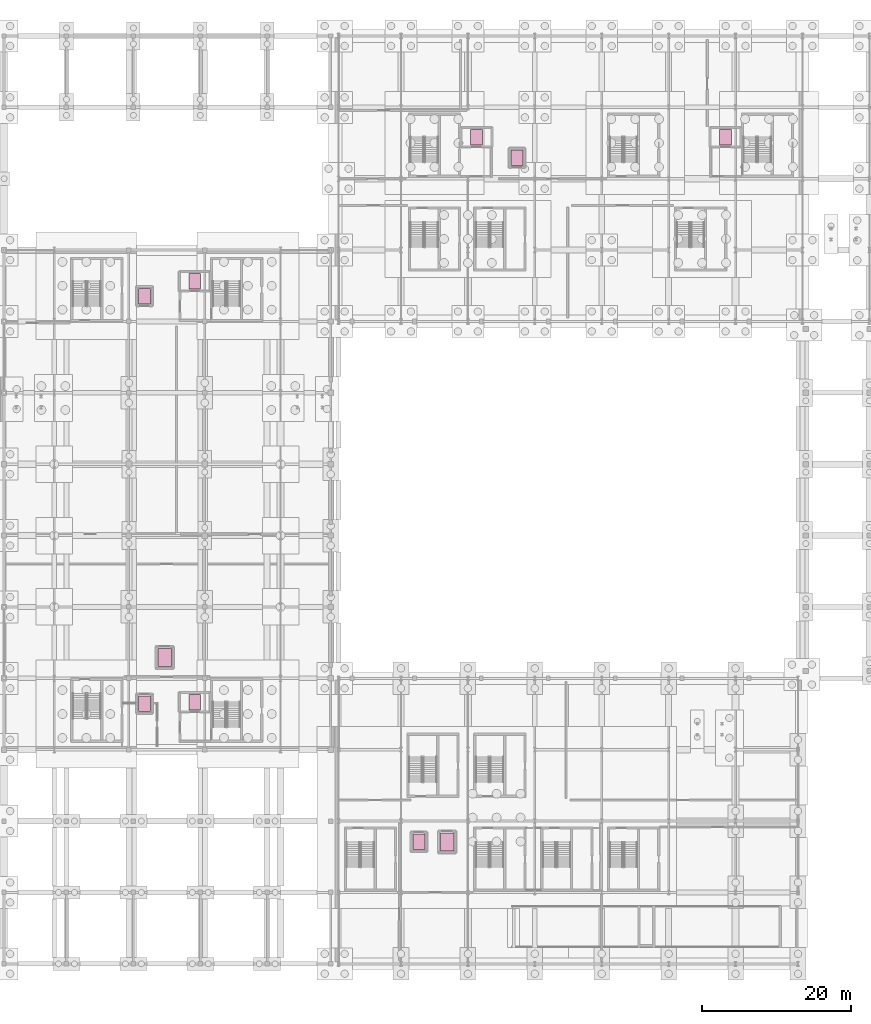
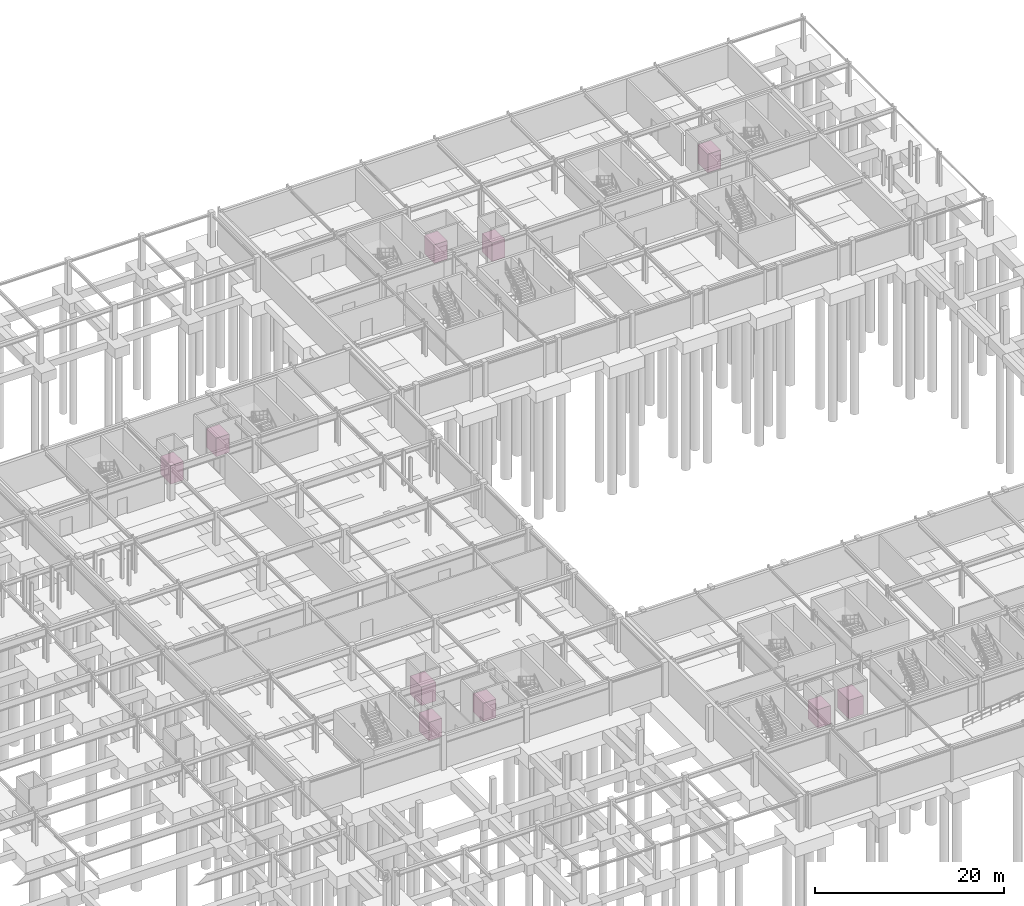
# One storey, part 59 of 59: 10 transport elements.
"""IFC4 building model written with IfcOpenShell, lengths in metres."""

import ifcopenshell
import ifcopenshell.guid

model = None  # the IFC model being written
_history = None  # IfcOwnerHistory: only IFC2X3 demands one
_inside = {}  # id of a spatial element -> (the spatial element, [elements in it])
_under = {}  # id of a project, library or spatial element -> (it, [spatial elements below it])
_declared = {}  # id of a project -> (the project, [libraries it declares])
_typed = {}  # id of a type object -> (the type object, [elements of that type])
_made_of = {}  # id of a material, layer set ... -> (it, [elements and type objects made of it])


def new_model(schema):
    """Start an empty IFC model of exactly this schema.

    Asked for "IFC4X3", IfcOpenShell would pick the latest addendum, in which some entities
    have other attributes; the version numbers below select the first issue.
    IFC2X3 requires an IfcOwnerHistory on every rooted entity: one is made here for all.
    """
    global model, _history
    if schema == "IFC4X3":
        model = ifcopenshell.file(schema_version=(4, 3, 0, 0))
    else:
        model = ifcopenshell.file(schema=schema)
    _inside.clear()
    _under.clear()
    _declared.clear()
    _typed.clear()
    _made_of.clear()
    _history = None
    if model.schema == "IFC2X3":
        org = make("IfcOrganization", Name="unknown")
        user = make(
            "IfcPersonAndOrganization",
            ThePerson=make("IfcPerson", FamilyName="unknown"),
            TheOrganization=org,
        )
        app = make(
            "IfcApplication",
            ApplicationDeveloper=org,
            Version="unknown",
            ApplicationFullName="unknown",
            ApplicationIdentifier="unknown",
        )
        _history = make(
            "IfcOwnerHistory",
            OwningUser=user,
            OwningApplication=app,
            ChangeAction="ADDED",
            CreationDate=0,
        )
    return model


def make(cls, **values):
    """One entity of the class cls with the attributes given. An attribute that is None is left unset."""
    return model.create_entity(
        cls, **{name: value for name, value in values.items() if value is not None}
    )


def rooted(cls, **values):
    """An entity with a GlobalId (a new one), such as an element, a storey or a relation."""
    return make(cls, GlobalId=ifcopenshell.guid.new(), OwnerHistory=_history, **values)


def si_unit(unit_type, name, prefix=None):
    """IfcSIUnit, for example si_unit("LENGTHUNIT", "METRE", prefix="MILLI")."""
    return make("IfcSIUnit", UnitType=unit_type, Prefix=prefix, Name=name)


def assignment(units):
    """IfcUnitAssignment: the units of a project."""
    return None if units is None else make("IfcUnitAssignment", Units=units)


def point(xyz):
    """IfcCartesianPoint."""
    return None if xyz is None else make("IfcCartesianPoint", Coordinates=xyz)


def direction(xyz):
    """IfcDirection."""
    return None if xyz is None else make("IfcDirection", DirectionRatios=xyz)


def frame(location, z_axis=None, x_axis=None):
    """IfcAxis2Placement3D, a coordinate frame: its origin and axes. An axis left out is left unset."""
    return make(
        "IfcAxis2Placement3D",
        Location=point(location),
        Axis=direction(z_axis),
        RefDirection=direction(x_axis),
    )


def frame_2d(location, x_axis=None):
    """IfcAxis2Placement2D, a coordinate frame in the plane: its origin and x axis."""
    return make(
        "IfcAxis2Placement2D", Location=point(location), RefDirection=direction(x_axis)
    )


def origin():
    """The frame at (0, 0, 0) with its axes left unset."""
    return frame((0.0, 0.0, 0.0))


def origin_2d():
    """The frame at (0, 0) in the plane with its x axis left unset."""
    return frame_2d((0.0, 0.0))


def place(relative_to, where):
    """IfcLocalPlacement: puts the frame where relative to a parent placement (None: the world)."""
    return make(
        "IfcLocalPlacement", PlacementRelTo=relative_to, RelativePlacement=where
    )


def context(
    kind, dimensions, precision=None, world=None, true_north=None, identifier=None
):
    """IfcGeometricRepresentationContext, for example the 3D "Model" context."""
    return make(
        "IfcGeometricRepresentationContext",
        ContextIdentifier=identifier,
        ContextType=kind,
        CoordinateSpaceDimension=dimensions,
        Precision=precision,
        WorldCoordinateSystem=world,
        TrueNorth=true_north,
    )


def subcontext(parent, identifier, kind, view, scale=None):
    """IfcGeometricRepresentationSubContext, for example "Body" below "Model"."""
    return make(
        "IfcGeometricRepresentationSubContext",
        ContextIdentifier=identifier,
        ContextType=kind,
        ParentContext=parent,
        TargetScale=scale,
        TargetView=view,
    )


def project(units=None, contexts=None):
    """IfcProject with its units and contexts."""
    return rooted(
        "IfcProject",
        Name="project",
        RepresentationContexts=contexts,
        UnitsInContext=assignment(units),
    )


def spatial(cls, under=None, at=None, **own):
    """A site, building, storey or space (cls), placed at a placement, below another one or the project."""
    s = rooted(cls, ObjectPlacement=at, **own)
    if under is not None:
        _under.setdefault(under.id(), (under, []))[1].append(s)
    return s


def profile(cls, at=None, kind="AREA", **sizes):
    """A parametric profile (cls). Its sizes go by their IFC names, for example OverallWidth=200.0."""
    return make(cls, ProfileType=kind, Position=at, **sizes)


def rectangle(**sizes):
    """IfcRectangleProfileDef."""
    return profile("IfcRectangleProfileDef", **sizes)


def extrude(swept, where, along, depth):
    """IfcExtrudedAreaSolid: the profile swept, set in the frame where, extruded along a direction by depth."""
    return make(
        "IfcExtrudedAreaSolid",
        SweptArea=swept,
        Position=where,
        ExtrudedDirection=direction(along),
        Depth=depth,
    )


def shape(context_of_items, identifier, shape_type, items):
    """IfcShapeRepresentation: the items that make up one representation, for example the "Body"."""
    return make(
        "IfcShapeRepresentation",
        ContextOfItems=context_of_items,
        RepresentationIdentifier=identifier,
        RepresentationType=shape_type,
        Items=items,
    )


def material(Name=None, Category=None):
    """IfcMaterial."""
    return make("IfcMaterial", Name=Name, Category=Category)


def made_of(thing, what):
    """Note that an element or type object is made of a material, layer set ...; save() writes the relation."""
    if what is not None:
        _made_of.setdefault(what.id(), (what, []))[1].append(thing)
    return thing


def type_object(cls, material=None, **own):
    """A type object (cls), such as IfcWallType, which elements share."""
    return made_of(rooted(cls, **own), material)


def element(
    cls,
    number,
    at=None,
    inside=None,
    cuts=None,
    type_object=None,
    material=None,
    context=None,
    identifier="Body",
    shape_type=None,
    held_by="IfcProductDefinitionShape",
    body=None,
    shapes=None,
    **own,
):
    """One element of the class cls, such as IfcWall. Its Tag is "e" and its number.

    at: its placement. inside: the storey or other place that contains it. cuts: it is an
    opening in that element (IfcRelVoidsElement). A single representation is given by context,
    identifier, shape_type and body (its items); several are given by shapes. held_by: the class
    of the entity that holds the representations. save() writes the other relations.
    """
    e = rooted(cls, Tag="e%d" % number, ObjectPlacement=at, **own)
    if body is not None:
        shapes = [shape(context, identifier, shape_type, body)]
    if shapes is not None:
        e.Representation = make(held_by, Representations=shapes)
    if inside is not None:
        _inside.setdefault(inside.id(), (inside, []))[1].append(e)
    if cuts is not None:
        rooted(
            "IfcRelVoidsElement", RelatingBuildingElement=cuts, RelatedOpeningElement=e
        )
    if type_object is not None:
        _typed.setdefault(type_object.id(), (type_object, []))[1].append(e)
    return made_of(e, material)


def aggregate(whole, parts):
    """IfcRelAggregates: a whole, such as a stair, and the parts it consists of."""
    return rooted("IfcRelAggregates", RelatingObject=whole, RelatedObjects=parts)


def save(model, path):
    """Write the relations noted so far, then the file.

    IfcRelAggregates (storeys below a building ...), IfcRelContainedInSpatialStructure (elements
    in a storey), IfcRelDefinesByType, IfcRelAssociatesMaterial and IfcRelDeclares: one each for
    every whole, place, type object, material and project.
    """
    for whole, parts in _under.values():
        aggregate(whole, parts)
    for where, things in _inside.values():
        rooted(
            "IfcRelContainedInSpatialStructure",
            RelatedElements=things,
            RelatingStructure=where,
        )
    for kind, things in _typed.values():
        rooted("IfcRelDefinesByType", RelatedObjects=things, RelatingType=kind)
    for what, things in _made_of.values():
        rooted("IfcRelAssociatesMaterial", RelatedObjects=things, RelatingMaterial=what)
    for by, libraries in _declared.values():
        rooted("IfcRelDeclares", RelatingContext=by, RelatedDefinitions=libraries)
    model.write(path)


model = new_model("IFC4")

# Units and contexts
model_context = context("Model", 3, precision=1e-05, world=origin(), true_north=direction((0.0, 1.0)))
body_context = subcontext(model_context, "Body", "Model", "MODEL_VIEW")
ifc_project = project(units=[si_unit("LENGTHUNIT", "METRE"), si_unit("AREAUNIT", "SQUARE_METRE"), si_unit("VOLUMEUNIT", "CUBIC_METRE"), si_unit("PLANEANGLEUNIT", "RADIAN"), si_unit("MASSUNIT", "GRAM", prefix="KILO")], contexts=[model_context])

# Site, building, storey
site_placement = place(None, origin())
site = spatial("IfcSite", under=ifc_project, at=site_placement, CompositionType="ELEMENT")
building_placement = place(site_placement, origin())
building = spatial("IfcBuilding", under=site, at=building_placement, Name="Myrtia Square Station", CompositionType="ELEMENT")
storey_placement = place(building_placement, frame((0.0, 0.0, -4.5)))
storey = spatial("IfcBuildingStorey", under=building, at=storey_placement, Name="B01", CompositionType="ELEMENT", Elevation=-4.5)

# Transport elements
ifc_material = material(Name="Dark bronze anodised aluminium", Category="aluminium")
transport_element_type_1 = type_object("IfcTransportElementType", Name="TR-LIFT-FF", PredefinedType="ELEVATOR", material=ifc_material)
for number, where, z_axis, x_axis, name in (
    (1, (98.25, 35.18994140625, 0.0), (0.0, 0.0, 1.0), (1.0, 0.0, 0.0), "Firefighters lift FFL-01"),
    (2, (98.25, 91.7900390625, 0.0), (0.0, 0.0, 1.0), (1.0, 0.0, 0.0), "Firefighters lift FFL-02"),
    (3, (136.14990234375, 111.18994140625, 0.0), (0.0, 0.0, 1.0), (1.0, 0.0, 0.0), "Firefighters lift FFL-03"),
    (4, (169.64990234375, 111.18994140625, 0.0), (0.0, 0.0, 1.0), (1.0, 0.0, 0.0), "Firefighters lift FFL-04"),
):
    element("IfcTransportElement", number, at=place(storey_placement, frame(where, z_axis=z_axis, x_axis=x_axis)), inside=storey, type_object=transport_element_type_1, Name=name, PredefinedType="ELEVATOR", context=body_context, shape_type="SweptSolid", body=[
        extrude(rectangle(XDim=1.60009765625, YDim=2.10009765625, at=origin_2d()), origin(), (0.0, 0.0, 1.0), 2.39990234375),
    ])
transport_element_type_2 = type_object("IfcTransportElementType", Name="TR-LIFT-GOODS", PredefinedType="ELEVATOR", material=ifc_material)
for number, where, z_axis, x_axis, name in (
    (5, (94.199951171875, 41.199951171875, 0.0), (0.0, 0.0, 1.0), (1.0, 0.0, 0.0), "Goods lift GL-01"),
    (6, (132.199951171875, 16.39990234375, 0.0), (0.0, 0.0, 1.0), (1.0, 0.0, 0.0), "Goods lift GL-02"),
):
    element("IfcTransportElement", number, at=place(storey_placement, frame(where, z_axis=z_axis, x_axis=x_axis)), inside=storey, type_object=transport_element_type_2, Name=name, PredefinedType="ELEVATOR", context=body_context, shape_type="SweptSolid", body=[
        extrude(rectangle(XDim=1.800048828125, YDim=2.39990234375, at=origin_2d()), origin(), (0.0, 0.0, 1.0), 2.39990234375),
    ])
transport_element_type_3 = type_object("IfcTransportElementType", Name="TR-LIFT-PASS", PredefinedType="ELEVATOR", material=ifc_material)
for number, where, z_axis, x_axis, name in (
    (7, (91.5, 35.0, 0.0), (0.0, 0.0, 1.0), (1.0, 0.0, 0.0), "Passenger lift PL-05"),
    (8, (91.5, 89.800048828125, 0.0), (0.0, 0.0, 1.0), (1.0, 0.0, 0.0), "Passenger lift PL-06"),
    (9, (128.39990234375, 16.39990234375, 0.0), (0.0, 0.0, 1.0), (1.0, 0.0, 0.0), "Passenger lift PL-07"),
    (10, (141.60009765625, 108.39990234375, 0.0), (0.0, 0.0, 1.0), (1.0, 0.0, 0.0), "Passenger lift PL-08"),
):
    element("IfcTransportElement", number, at=place(storey_placement, frame(where, z_axis=z_axis, x_axis=x_axis)), inside=storey, type_object=transport_element_type_3, Name=name, PredefinedType="ELEVATOR", context=body_context, shape_type="SweptSolid", body=[
        extrude(rectangle(XDim=1.60009765625, YDim=2.10009765625, at=origin_2d()), origin(), (0.0, 0.0, 1.0), 2.39990234375),
    ])

save(model, "model.ifc")
